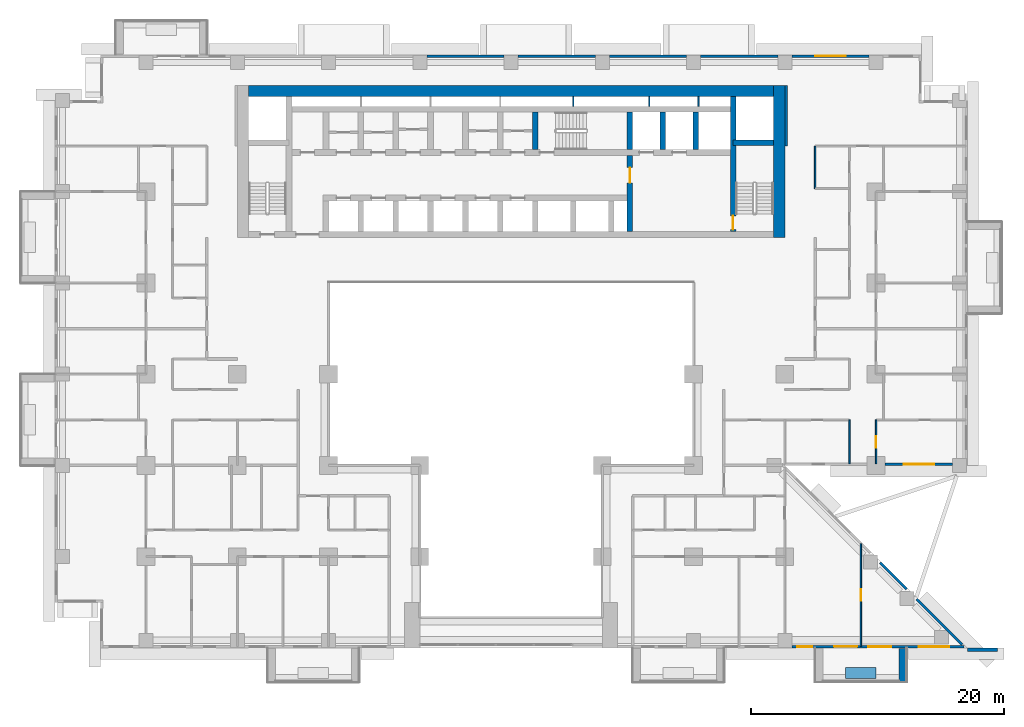
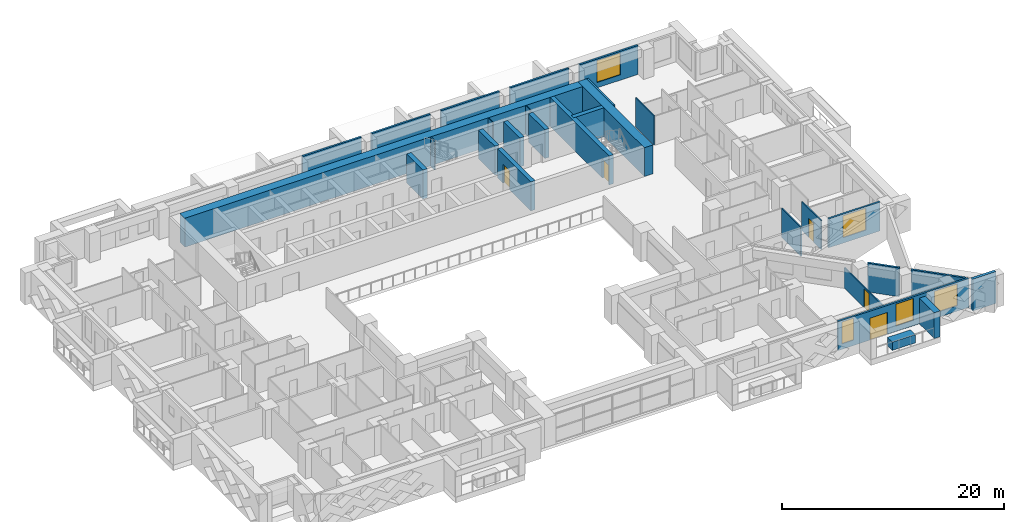
# One storey, part 11 of 17: 29 walls, 5 doors, 5 windows, 10 openings.
"""IFC4 building model written with IfcOpenShell, lengths in metres."""

import ifcopenshell
import ifcopenshell.guid

model = None  # the IFC model being written
_history = None  # IfcOwnerHistory: only IFC2X3 demands one
_inside = {}  # id of a spatial element -> (the spatial element, [elements in it])
_under = {}  # id of a project, library or spatial element -> (it, [spatial elements below it])
_declared = {}  # id of a project -> (the project, [libraries it declares])
_typed = {}  # id of a type object -> (the type object, [elements of that type])
_made_of = {}  # id of a material, layer set ... -> (it, [elements and type objects made of it])


def new_model(schema):
    """Start an empty IFC model of exactly this schema.

    Asked for "IFC4X3", IfcOpenShell would pick the latest addendum, in which some entities
    have other attributes; the version numbers below select the first issue.
    IFC2X3 requires an IfcOwnerHistory on every rooted entity: one is made here for all.
    """
    global model, _history
    if schema == "IFC4X3":
        model = ifcopenshell.file(schema_version=(4, 3, 0, 0))
    else:
        model = ifcopenshell.file(schema=schema)
    _inside.clear()
    _under.clear()
    _declared.clear()
    _typed.clear()
    _made_of.clear()
    _history = None
    if model.schema == "IFC2X3":
        org = make("IfcOrganization", Name="unknown")
        user = make(
            "IfcPersonAndOrganization",
            ThePerson=make("IfcPerson", FamilyName="unknown"),
            TheOrganization=org,
        )
        app = make(
            "IfcApplication",
            ApplicationDeveloper=org,
            Version="unknown",
            ApplicationFullName="unknown",
            ApplicationIdentifier="unknown",
        )
        _history = make(
            "IfcOwnerHistory",
            OwningUser=user,
            OwningApplication=app,
            ChangeAction="ADDED",
            CreationDate=0,
        )
    return model


def make(cls, **values):
    """One entity of the class cls with the attributes given. An attribute that is None is left unset."""
    return model.create_entity(
        cls, **{name: value for name, value in values.items() if value is not None}
    )


def rooted(cls, **values):
    """An entity with a GlobalId (a new one), such as an element, a storey or a relation."""
    return make(cls, GlobalId=ifcopenshell.guid.new(), OwnerHistory=_history, **values)


def si_unit(unit_type, name, prefix=None):
    """IfcSIUnit, for example si_unit("LENGTHUNIT", "METRE", prefix="MILLI")."""
    return make("IfcSIUnit", UnitType=unit_type, Prefix=prefix, Name=name)


def assignment(units):
    """IfcUnitAssignment: the units of a project."""
    return None if units is None else make("IfcUnitAssignment", Units=units)


def point(xyz):
    """IfcCartesianPoint."""
    return None if xyz is None else make("IfcCartesianPoint", Coordinates=xyz)


def direction(xyz):
    """IfcDirection."""
    return None if xyz is None else make("IfcDirection", DirectionRatios=xyz)


def frame(location, z_axis=None, x_axis=None):
    """IfcAxis2Placement3D, a coordinate frame: its origin and axes. An axis left out is left unset."""
    return make(
        "IfcAxis2Placement3D",
        Location=point(location),
        Axis=direction(z_axis),
        RefDirection=direction(x_axis),
    )


def frame_2d(location, x_axis=None):
    """IfcAxis2Placement2D, a coordinate frame in the plane: its origin and x axis."""
    return make(
        "IfcAxis2Placement2D", Location=point(location), RefDirection=direction(x_axis)
    )


def origin():
    """The frame at (0, 0, 0) with its axes left unset."""
    return frame((0.0, 0.0, 0.0))


def place(relative_to, where):
    """IfcLocalPlacement: puts the frame where relative to a parent placement (None: the world)."""
    return make(
        "IfcLocalPlacement", PlacementRelTo=relative_to, RelativePlacement=where
    )


def context(
    kind, dimensions, precision=None, world=None, true_north=None, identifier=None
):
    """IfcGeometricRepresentationContext, for example the 3D "Model" context."""
    return make(
        "IfcGeometricRepresentationContext",
        ContextIdentifier=identifier,
        ContextType=kind,
        CoordinateSpaceDimension=dimensions,
        Precision=precision,
        WorldCoordinateSystem=world,
        TrueNorth=true_north,
    )


def subcontext(parent, identifier, kind, view, scale=None):
    """IfcGeometricRepresentationSubContext, for example "Body" below "Model"."""
    return make(
        "IfcGeometricRepresentationSubContext",
        ContextIdentifier=identifier,
        ContextType=kind,
        ParentContext=parent,
        TargetScale=scale,
        TargetView=view,
    )


def project(units=None, contexts=None):
    """IfcProject with its units and contexts."""
    return rooted(
        "IfcProject",
        Name="project",
        RepresentationContexts=contexts,
        UnitsInContext=assignment(units),
    )


def spatial(cls, under=None, at=None, **own):
    """A site, building, storey or space (cls), placed at a placement, below another one or the project."""
    s = rooted(cls, ObjectPlacement=at, **own)
    if under is not None:
        _under.setdefault(under.id(), (under, []))[1].append(s)
    return s


def profile(cls, at=None, kind="AREA", **sizes):
    """A parametric profile (cls). Its sizes go by their IFC names, for example OverallWidth=200.0."""
    return make(cls, ProfileType=kind, Position=at, **sizes)


def rectangle(**sizes):
    """IfcRectangleProfileDef."""
    return profile("IfcRectangleProfileDef", **sizes)


def extrude(swept, where, along, depth):
    """IfcExtrudedAreaSolid: the profile swept, set in the frame where, extruded along a direction by depth."""
    return make(
        "IfcExtrudedAreaSolid",
        SweptArea=swept,
        Position=where,
        ExtrudedDirection=direction(along),
        Depth=depth,
    )


def shape(context_of_items, identifier, shape_type, items):
    """IfcShapeRepresentation: the items that make up one representation, for example the "Body"."""
    return make(
        "IfcShapeRepresentation",
        ContextOfItems=context_of_items,
        RepresentationIdentifier=identifier,
        RepresentationType=shape_type,
        Items=items,
    )


def material(Name=None, Category=None):
    """IfcMaterial."""
    return make("IfcMaterial", Name=Name, Category=Category)


def layer(
    of_material, thickness, ventilated=None, Name=None, Category=None, Priority=None
):
    """IfcMaterialLayer: one layer of a wall or slab, of a material (None: an air gap)."""
    return make(
        "IfcMaterialLayer",
        Material=of_material,
        LayerThickness=thickness,
        IsVentilated=ventilated,
        Name=Name,
        Category=Category,
        Priority=Priority,
    )


def layer_set(layers, Name=None):
    """IfcMaterialLayerSet."""
    return make("IfcMaterialLayerSet", MaterialLayers=layers, LayerSetName=Name)


def made_of(thing, what):
    """Note that an element or type object is made of a material, layer set ...; save() writes the relation."""
    if what is not None:
        _made_of.setdefault(what.id(), (what, []))[1].append(thing)
    return thing


def type_object(cls, material=None, **own):
    """A type object (cls), such as IfcWallType, which elements share."""
    return made_of(rooted(cls, **own), material)


def element(
    cls,
    number,
    at=None,
    inside=None,
    cuts=None,
    type_object=None,
    material=None,
    context=None,
    identifier="Body",
    shape_type=None,
    held_by="IfcProductDefinitionShape",
    body=None,
    shapes=None,
    **own,
):
    """One element of the class cls, such as IfcWall. Its Tag is "e" and its number.

    at: its placement. inside: the storey or other place that contains it. cuts: it is an
    opening in that element (IfcRelVoidsElement). A single representation is given by context,
    identifier, shape_type and body (its items); several are given by shapes. held_by: the class
    of the entity that holds the representations. save() writes the other relations.
    """
    e = rooted(cls, Tag="e%d" % number, ObjectPlacement=at, **own)
    if body is not None:
        shapes = [shape(context, identifier, shape_type, body)]
    if shapes is not None:
        e.Representation = make(held_by, Representations=shapes)
    if inside is not None:
        _inside.setdefault(inside.id(), (inside, []))[1].append(e)
    if cuts is not None:
        rooted(
            "IfcRelVoidsElement", RelatingBuildingElement=cuts, RelatedOpeningElement=e
        )
    if type_object is not None:
        _typed.setdefault(type_object.id(), (type_object, []))[1].append(e)
    return made_of(e, material)


def fill(opening, filler):
    """IfcRelFillsElement: the door or window that sits in an opening."""
    return rooted(
        "IfcRelFillsElement",
        RelatingOpeningElement=opening,
        RelatedBuildingElement=filler,
    )


def aggregate(whole, parts):
    """IfcRelAggregates: a whole, such as a stair, and the parts it consists of."""
    return rooted("IfcRelAggregates", RelatingObject=whole, RelatedObjects=parts)


def save(model, path):
    """Write the relations noted so far, then the file.

    IfcRelAggregates (storeys below a building ...), IfcRelContainedInSpatialStructure (elements
    in a storey), IfcRelDefinesByType, IfcRelAssociatesMaterial and IfcRelDeclares: one each for
    every whole, place, type object, material and project.
    """
    for whole, parts in _under.values():
        aggregate(whole, parts)
    for where, things in _inside.values():
        rooted(
            "IfcRelContainedInSpatialStructure",
            RelatedElements=things,
            RelatingStructure=where,
        )
    for kind, things in _typed.values():
        rooted("IfcRelDefinesByType", RelatedObjects=things, RelatingType=kind)
    for what, things in _made_of.values():
        rooted("IfcRelAssociatesMaterial", RelatedObjects=things, RelatingMaterial=what)
    for by, libraries in _declared.values():
        rooted("IfcRelDeclares", RelatingContext=by, RelatedDefinitions=libraries)
    model.write(path)


model = new_model("IFC4")

# Units and contexts
model_context = context("Model", 3, precision=1e-05, world=origin(), true_north=direction((0.0, 1.0)))
body_context = subcontext(model_context, "Body", "Model", "MODEL_VIEW")
ifc_project = project(units=[si_unit("LENGTHUNIT", "METRE"), si_unit("AREAUNIT", "SQUARE_METRE"), si_unit("VOLUMEUNIT", "CUBIC_METRE"), si_unit("PLANEANGLEUNIT", "RADIAN"), si_unit("MASSUNIT", "GRAM", prefix="KILO")], contexts=[model_context])

# Site, building, storey
site_placement = place(None, origin())
site = spatial("IfcSite", under=ifc_project, at=site_placement, CompositionType="ELEMENT")
building_placement = place(site_placement, origin())
building = spatial("IfcBuilding", under=site, at=building_placement, Name="Saffron Iwan Residences", CompositionType="ELEMENT")
storey_placement = place(building_placement, frame((0.0, 0.0, 58.5)))
storey = spatial("IfcBuildingStorey", under=building, at=storey_placement, Name="L14", CompositionType="ELEMENT", Elevation=58.5)

# Walls
ifc_material_1 = material(Name="Concrete C50/60 white painted", Category="concrete")
ifc_layer_1 = layer(ifc_material_1, 0.60009765625)
ifc_layer_set_1 = layer_set([ifc_layer_1], Name="Concrete C50/60 white painted")
wall_type_1 = type_object("IfcWallType", Name="BALCONY FIN 600", PredefinedType="SOLIDWALL", material=ifc_layer_set_1)
wall_1_placement = place(storey_placement, frame((81.300048828125, 33.550048828125, 0.0), z_axis=(0.0, 0.0, 1.0), x_axis=(0.0, -1.0, 0.0)))
element("IfcWall", 1, at=wall_1_placement, inside=storey, type_object=wall_type_1, Name="Balcony fin L14 11-2b", PredefinedType="SOLIDWALL", context=body_context, shape_type="SweptSolid", body=[
    extrude(rectangle(XDim=2.650146484375, YDim=0.60009765625, at=frame_2d((1.3251953125, 0.0))), origin(), (0.0, 0.0, 1.0), 2.85009765625),
])
ifc_material_2 = material(Name="Concrete C35/45 white painted", Category="concrete")
ifc_layer_2 = layer(ifc_material_2, 0.14990234375)
ifc_layer_set_2 = layer_set([ifc_layer_2], Name="Concrete C35/45 white painted")
wall_type_2 = type_object("IfcWallType", Name="BALCONY PLANTER", PredefinedType="SOLIDWALL", material=ifc_layer_set_2)
wall_2_placement = place(storey_placement, frame((76.800048828125, 31.625, 0.0), z_axis=(0.0, 0.0, 1.0), x_axis=(1.0, 0.0, 0.0)))
element("IfcWall", 2, at=wall_2_placement, inside=storey, type_object=wall_type_2, Name="PLANTER L14 11-2", PredefinedType="SOLIDWALL", context=body_context, shape_type="SweptSolid", body=[
    extrude(rectangle(XDim=2.39990234375, YDim=0.89990234375, at=frame_2d((1.199951171875, 0.0))), origin(), (0.0, 0.0, 1.0), 0.89990234375),
])
ifc_material_3 = material(Name="Concrete C40/50", Category="concrete")
ifc_layer_3 = layer(ifc_material_3, 0.199951171875)
ifc_layer_set_3 = layer_set([ifc_layer_3], Name="Concrete C40/50")
wall_type_3 = type_object("IfcWallType", Name="EXTERNAL WALL 200", PredefinedType="SOLIDWALL", material=ifc_layer_set_3)
wall_3_placement = place(storey_placement, frame((85.995849609375, 33.862548828125, 0.0), z_axis=(0.0, 0.0, 1.0), x_axis=(-0.7070827891, 0.707130772459, 0.0)))
element("IfcWall", 3, at=wall_3_placement, inside=storey, type_object=wall_type_3, Name="External wall L14 F0.0", PredefinedType="SOLIDWALL", context=body_context, shape_type="SweptSolid", body=[
    extrude(rectangle(XDim=5.088134765625, YDim=0.199951171875, at=frame_2d((2.5439453125, 0.0))), origin(), (0.0, 0.0, 1.0), 3.179931640625),
])
wall_4_placement = place(storey_placement, frame((81.620361328125, 38.23828125, 0.0), z_axis=(0.0, 0.0, 1.0), x_axis=(-0.707106781187, 0.707106781187, 0.0)))
element("IfcWall", 4, at=wall_4_placement, inside=storey, type_object=wall_type_3, Name="External wall L14 F0.1", PredefinedType="SOLIDWALL", context=body_context, shape_type="SweptSolid", body=[
    extrude(rectangle(XDim=2.97265625, YDim=0.199951171875, at=frame_2d((1.486328125, 0.0))), origin(), (0.0, 0.0, 1.0), 3.179931640625),
])

# Wall, opening, window
wall_5_placement = place(storey_placement, frame((79.89990234375, 48.10009765625, 0.0), z_axis=(0.0, 0.0, 1.0), x_axis=(1.0, 0.0, 0.0)))
wall_5 = element("IfcWall", 5, at=wall_5_placement, inside=storey, type_object=wall_type_3, Name="External wall L14 F1.1", PredefinedType="SOLIDWALL", context=body_context, shape_type="SweptSolid", body=[
    extrude(rectangle(XDim=5.35009765625, YDim=0.199951171875, at=frame_2d((2.675048828125, 0.0))), origin(), (0.0, 0.0, 1.0), 3.179931640625),
])
opening_1_placement = place(wall_5_placement, frame((1.47509765625, 0.0, 0.60009765625)))
opening_1 = element("IfcOpeningElement", 6, at=opening_1_placement, cuts=wall_5, Name="Opening W1", PredefinedType="OPENING", context=body_context, shape_type="SweptSolid", body=[
    extrude(rectangle(XDim=2.39990234375, YDim=2.39990234375, at=frame_2d((1.199951171875, 1.199951171875))), frame((0.0, 0.10986328125, 0.0), z_axis=(0.0, -1.0, 0.0), x_axis=(1.0, 0.0, 0.0)), (0.0, 0.0, 1.0), 0.219970703125),
])
ifc_material_4 = material(Name="Clear glass, laminated double glazed", Category="glass")
window_type_1 = type_object("IfcWindowType", Name="WINDOW 2400 x 2400", PartitioningType="DOUBLE_PANEL_VERTICAL", PredefinedType="WINDOW", material=ifc_material_4)
window_1_placement = place(opening_1_placement, origin())
window_1 = element("IfcWindow", 7, at=window_1_placement, inside=storey, type_object=window_type_1, Name="Window L14 F1.0", OverallHeight=2.39990234375, OverallWidth=2.39990234375, PartitioningType="DOUBLE_PANEL_VERTICAL", PredefinedType="WINDOW", context=body_context, shape_type="SweptSolid", body=[
    extrude(rectangle(XDim=2.39990234375, YDim=2.39990234375, at=frame_2d((1.199951171875, 1.199951171875))), frame((0.0, 0.030029296875, 0.0), z_axis=(0.0, -1.0, 0.0), x_axis=(1.0, 0.0, 0.0)), (0.0, 0.0, 1.0), 0.06005859375),
])
fill(opening_1, window_1)

wall_6_placement = place(storey_placement, frame((78.64990234375, 80.300048828125, 0.0), z_axis=(0.0, 0.0, 1.0), x_axis=(-1.0, 0.0, 0.0)))
wall_6 = element("IfcWall", 8, at=wall_6_placement, inside=storey, type_object=wall_type_3, Name="External wall L14 F5.1", PredefinedType="SOLIDWALL", context=body_context, shape_type="SweptSolid", body=[
    extrude(rectangle(XDim=6.099853515625, YDim=0.199951171875, at=frame_2d((3.0498046875, 0.0))), origin(), (0.0, 0.0, 1.0), 3.179931640625),
])
opening_2_placement = place(wall_6_placement, frame((1.85009765625, 0.0, 0.60009765625)))
opening_2 = element("IfcOpeningElement", 9, at=opening_2_placement, cuts=wall_6, Name="Opening W1", PredefinedType="OPENING", context=body_context, shape_type="SweptSolid", body=[
    extrude(rectangle(XDim=2.39990234375, YDim=2.39990234375, at=frame_2d((1.199951171875, 1.199951171875))), frame((0.0, 0.10986328125, 0.0), z_axis=(0.0, -1.0, 0.0), x_axis=(1.0, 0.0, 0.0)), (0.0, 0.0, 1.0), 0.219970703125),
])
window_2_placement = place(opening_2_placement, origin())
window_2 = element("IfcWindow", 10, at=window_2_placement, inside=storey, type_object=window_type_1, Name="Window L14 F5.0", OverallHeight=2.39990234375, OverallWidth=2.39990234375, PartitioningType="DOUBLE_PANEL_VERTICAL", PredefinedType="WINDOW", context=body_context, shape_type="SweptSolid", body=[
    extrude(rectangle(XDim=2.39990234375, YDim=2.39990234375, at=frame_2d((1.199951171875, 1.199951171875))), frame((0.0, 0.030029296875, 0.0), z_axis=(0.0, -1.0, 0.0), x_axis=(1.0, 0.0, 0.0)), (0.0, 0.0, 1.0), 0.06005859375),
])
fill(opening_2, window_2)

# Walls
wall_7_placement = place(storey_placement, frame((71.449951171875, 80.300048828125, 0.0), z_axis=(0.0, 0.0, 1.0), x_axis=(-1.0, 0.0, 0.0)))
element("IfcWall", 11, at=wall_7_placement, inside=storey, type_object=wall_type_3, Name="External wall L14 F5.2", PredefinedType="SOLIDWALL", context=body_context, shape_type="SweptSolid", body=[
    extrude(rectangle(XDim=6.099853515625, YDim=0.199951171875, at=frame_2d((3.0498046875, 0.0))), origin(), (0.0, 0.0, 1.0), 3.179931640625),
])
for number, where, z_axis, x_axis, name in (
    (12, (64.25, 80.300048828125, 0.0), (0.0, 0.0, 1.0), (-1.0, 0.0, 0.0), "External wall L14 F5.3"),
    (13, (57.050048828125, 80.300048828125, 0.0), (0.0, 0.0, 1.0), (-1.0, 0.0, 0.0), "External wall L14 F5.4"),
    (14, (49.85009765625, 80.300048828125, 0.0), (0.0, 0.0, 1.0), (-1.0, 0.0, 0.0), "External wall L14 F5.5"),
):
    element("IfcWall", number, at=place(storey_placement, frame(where, z_axis=z_axis, x_axis=x_axis)), inside=storey, type_object=wall_type_3, Name=name, PredefinedType="SOLIDWALL", context=body_context, shape_type="SweptSolid", body=[
        extrude(rectangle(XDim=6.10009765625, YDim=0.199951171875, at=frame_2d((3.050048828125, 0.0))), origin(), (0.0, 0.0, 1.0), 3.179931640625),
    ])

# Wall, openings, door, windows
wall_8_placement = place(storey_placement, frame((72.550048828125, 33.699951171875, 0.0), z_axis=(0.0, 0.0, 1.0), x_axis=(1.0, 0.0, 0.0)))
wall_8 = element("IfcWall", 15, at=wall_8_placement, inside=storey, type_object=wall_type_3, Name="External wall L14 F11.6", PredefinedType="SOLIDWALL", context=body_context, shape_type="SweptSolid", body=[
    extrude(rectangle(XDim=13.608642578125, YDim=0.199951171875, at=frame_2d((6.80419921875, 0.0))), origin(), (0.0, 0.0, 1.0), 3.179931640625),
])
opening_3_placement = place(wall_8_placement, frame((3.35009765625, 0.0, 0.0)))
opening_3 = element("IfcOpeningElement", 16, at=opening_3_placement, cuts=wall_8, Name="Opening BD1", PredefinedType="OPENING", context=body_context, shape_type="SweptSolid", body=[
    extrude(rectangle(XDim=1.800048828125, YDim=2.39990234375, at=frame_2d((0.89990234375, 1.199951171875))), frame((0.0, 0.10986328125, 0.0), z_axis=(0.0, -1.0, 0.0), x_axis=(1.0, 0.0, 0.0)), (0.0, 0.0, 1.0), 0.219970703125),
])
opening_4_placement = place(wall_8_placement, frame((0.425048828125, 0.0, 0.60009765625)))
opening_4 = element("IfcOpeningElement", 17, at=opening_4_placement, cuts=wall_8, Name="Opening W3", PredefinedType="OPENING", context=body_context, shape_type="SweptSolid", body=[
    extrude(rectangle(XDim=1.199951171875, YDim=2.39990234375, at=frame_2d((0.60009765625, 1.199951171875))), frame((0.0, 0.10986328125, 0.0), z_axis=(0.0, -1.0, 0.0), x_axis=(1.0, 0.0, 0.0)), (0.0, 0.0, 1.0), 0.219970703125),
])
opening_5_placement = place(wall_8_placement, frame((6.050048828125, 0.0, 0.60009765625)))
opening_5 = element("IfcOpeningElement", 18, at=opening_5_placement, cuts=wall_8, Name="Opening W8", PredefinedType="OPENING", context=body_context, shape_type="SweptSolid", body=[
    extrude(rectangle(XDim=1.800048828125, YDim=2.39990234375, at=frame_2d((0.89990234375, 1.199951171875))), frame((0.0, 0.10986328125, 0.0), z_axis=(0.0, -1.0, 0.0), x_axis=(1.0, 0.0, 0.0)), (0.0, 0.0, 1.0), 0.219970703125),
])
opening_6_placement = place(wall_8_placement, frame((10.029296875, 0.0, 0.60009765625)))
opening_6 = element("IfcOpeningElement", 19, at=opening_6_placement, cuts=wall_8, Name="Opening W1", PredefinedType="OPENING", context=body_context, shape_type="SweptSolid", body=[
    extrude(rectangle(XDim=2.39990234375, YDim=2.39990234375, at=frame_2d((1.199951171875, 1.199951171875))), frame((0.0, 0.10986328125, 0.0), z_axis=(0.0, -1.0, 0.0), x_axis=(1.0, 0.0, 0.0)), (0.0, 0.0, 1.0), 0.219970703125),
])
door_type_1 = type_object("IfcDoorType", Name="BALCONY DOOR 1800 x 2400", OperationType="DOUBLE_DOOR_SLIDING", PredefinedType="DOOR", material=ifc_material_4)
door_1_placement = place(opening_3_placement, origin())
door_1 = element("IfcDoor", 20, at=door_1_placement, inside=storey, type_object=door_type_1, Name="Balcony door L14 F11.0", OperationType="DOUBLE_DOOR_SLIDING", OverallHeight=2.39990234375, OverallWidth=1.800048828125, PredefinedType="DOOR", context=body_context, shape_type="SweptSolid", body=[
    extrude(rectangle(XDim=1.800048828125, YDim=2.39990234375, at=frame_2d((0.89990234375, 1.199951171875))), frame((0.0, 0.02490234375, 0.0), z_axis=(0.0, -1.0, 0.0), x_axis=(1.0, 0.0, 0.0)), (0.0, 0.0, 1.0), 0.050048828125),
])
fill(opening_3, door_1)
window_type_2 = type_object("IfcWindowType", Name="WINDOW 1200 x 2400", PartitioningType="SINGLE_PANEL", PredefinedType="WINDOW", material=ifc_material_4)
window_3_placement = place(opening_4_placement, origin())
window_3 = element("IfcWindow", 21, at=window_3_placement, inside=storey, type_object=window_type_2, Name="Window L14 F11.1", OverallHeight=2.39990234375, OverallWidth=1.199951171875, PartitioningType="SINGLE_PANEL", PredefinedType="WINDOW", context=body_context, shape_type="SweptSolid", body=[
    extrude(rectangle(XDim=1.199951171875, YDim=2.39990234375, at=frame_2d((0.60009765625, 1.199951171875))), frame((0.0, 0.030029296875, 0.0), z_axis=(0.0, -1.0, 0.0), x_axis=(1.0, 0.0, 0.0)), (0.0, 0.0, 1.0), 0.06005859375),
])
fill(opening_4, window_3)
window_type_3 = type_object("IfcWindowType", Name="WINDOW 1800 x 2400", PartitioningType="DOUBLE_PANEL_VERTICAL", PredefinedType="WINDOW", material=ifc_material_4)
window_4_placement = place(opening_5_placement, origin())
window_4 = element("IfcWindow", 22, at=window_4_placement, inside=storey, type_object=window_type_3, Name="Window L14 F11.2", OverallHeight=2.39990234375, OverallWidth=1.800048828125, PartitioningType="DOUBLE_PANEL_VERTICAL", PredefinedType="WINDOW", context=body_context, shape_type="SweptSolid", body=[
    extrude(rectangle(XDim=1.800048828125, YDim=2.39990234375, at=frame_2d((0.89990234375, 1.199951171875))), frame((0.0, 0.030029296875, 0.0), z_axis=(0.0, -1.0, 0.0), x_axis=(1.0, 0.0, 0.0)), (0.0, 0.0, 1.0), 0.06005859375),
])
fill(opening_5, window_4)
window_5_placement = place(opening_6_placement, origin())
window_5 = element("IfcWindow", 23, at=window_5_placement, inside=storey, type_object=window_type_1, Name="Window L14 F11.3", OverallHeight=2.39990234375, OverallWidth=2.39990234375, PartitioningType="DOUBLE_PANEL_VERTICAL", PredefinedType="WINDOW", context=body_context, shape_type="SweptSolid", body=[
    extrude(rectangle(XDim=2.39990234375, YDim=2.39990234375, at=frame_2d((1.199951171875, 1.199951171875))), frame((0.0, 0.030029296875, 0.0), z_axis=(0.0, -1.0, 0.0), x_axis=(1.0, 0.0, 0.0)), (0.0, 0.0, 1.0), 0.06005859375),
])
fill(opening_6, window_5)

# Walls
ifc_material_5 = material(Name="Gypsum board partition")
ifc_layer_4 = layer(ifc_material_5, 0.1201171875)
ifc_layer_set_4 = layer_set([ifc_layer_4], Name="Gypsum board partition")
wall_type_4 = type_object("IfcWallType", Name="Flat partition 120", PredefinedType="PARTITIONING", material=ifc_layer_set_4)
wall_9_placement = place(storey_placement, frame((74.39990234375, 69.85009765625, 0.0), z_axis=(0.0, 0.0, 1.0), x_axis=(0.0, 1.0, 0.0)))
element("IfcWall", 24, at=wall_9_placement, inside=storey, type_object=wall_type_4, Name="W-L14-PART-v74.4-69.85", PredefinedType="PARTITIONING", context=body_context, shape_type="SweptSolid", body=[
    extrude(rectangle(XDim=3.349853515625, YDim=0.1201171875, at=frame_2d((1.6748046875, 0.0))), origin(), (0.0, 0.0, 1.0), 3.179931640625),
])
wall_10_placement = place(storey_placement, frame((77.10009765625, 48.125, 0.0), z_axis=(0.0, 0.0, 1.0), x_axis=(0.0, 1.0, 0.0)))
element("IfcWall", 25, at=wall_10_placement, inside=storey, type_object=wall_type_4, Name="W-L14-PART-v77.1-48.125", PredefinedType="PARTITIONING", context=body_context, shape_type="SweptSolid", body=[
    extrude(rectangle(XDim=3.47509765625, YDim=0.1201171875, at=frame_2d((1.737548828125, 0.0))), origin(), (0.0, 0.0, 1.0), 3.179931640625),
])

# Wall, opening, door
wall_11_placement = place(storey_placement, frame((78.0, 33.72509765625, 0.0), z_axis=(0.0, 0.0, 1.0), x_axis=(0.0, 1.0, 0.0)))
wall_11 = element("IfcWall", 26, at=wall_11_placement, inside=storey, type_object=wall_type_4, Name="W-L14-PART-v78-33.725", PredefinedType="PARTITIONING", context=body_context, shape_type="SweptSolid", body=[
    extrude(rectangle(XDim=8.097900390625, YDim=0.1201171875, at=frame_2d((4.048828125, 0.0))), origin(), (0.0, 0.0, 1.0), 2.280029296875),
])
opening_7_placement = place(wall_11_placement, frame((3.59912109375, 0.0, 0.0)))
opening_7 = element("IfcOpeningElement", 27, at=opening_7_placement, cuts=wall_11, Name="Opening FD2", PredefinedType="OPENING", context=body_context, shape_type="SweptSolid", body=[
    extrude(rectangle(XDim=0.89990234375, YDim=2.10009765625, at=frame_2d((0.449951171875, 1.050048828125))), frame((0.0, 0.070068359375, 0.0), z_axis=(0.0, -1.0, 0.0), x_axis=(1.0, 0.0, 0.0)), (0.0, 0.0, 1.0), 0.14013671875),
])
ifc_material_6 = material(Name="Timber door", Category="wood")
door_type_2 = type_object("IfcDoorType", Name="Flat door 900", OperationType="NOTDEFINED", PredefinedType="DOOR", material=ifc_material_6)
door_2_placement = place(opening_7_placement, origin())
door_2 = element("IfcDoor", 28, at=door_2_placement, inside=storey, type_object=door_type_2, Name="Door L14-052", OperationType="SINGLE_SWING_LEFT", OverallHeight=2.10009765625, OverallWidth=0.89990234375, PredefinedType="DOOR", context=body_context, shape_type="SweptSolid", body=[
    extrude(rectangle(XDim=0.89990234375, YDim=2.10009765625, at=frame_2d((0.449951171875, 1.050048828125))), frame((0.0, 0.02490234375, 0.0), z_axis=(0.0, -1.0, 0.0), x_axis=(1.0, 0.0, 0.0)), (0.0, 0.0, 1.0), 0.050048828125),
])
fill(opening_7, door_2)

wall_12_placement = place(storey_placement, frame((79.199951171875, 48.125, 0.0), z_axis=(0.0, 0.0, 1.0), x_axis=(0.0, 1.0, 0.0)))
wall_12 = element("IfcWall", 29, at=wall_12_placement, inside=storey, type_object=wall_type_4, Name="W-L14-PART-v79.2-48.125", PredefinedType="PARTITIONING", context=body_context, shape_type="SweptSolid", body=[
    extrude(rectangle(XDim=3.47509765625, YDim=0.1201171875, at=frame_2d((1.737548828125, 0.0))), origin(), (0.0, 0.0, 1.0), 3.179931640625),
])
opening_8_placement = place(wall_12_placement, frame((1.28759765625, 0.0, 0.0)))
opening_8 = element("IfcOpeningElement", 30, at=opening_8_placement, cuts=wall_12, Name="Opening FD2", PredefinedType="OPENING", context=body_context, shape_type="SweptSolid", body=[
    extrude(rectangle(XDim=0.89990234375, YDim=2.10009765625, at=frame_2d((0.449951171875, 1.050048828125))), frame((0.0, 0.070068359375, 0.0), z_axis=(0.0, -1.0, 0.0), x_axis=(1.0, 0.0, 0.0)), (0.0, 0.0, 1.0), 0.14013671875),
])
door_3_placement = place(opening_8_placement, origin())
door_3 = element("IfcDoor", 31, at=door_3_placement, inside=storey, type_object=door_type_2, Name="Door L14-022", OperationType="SINGLE_SWING_LEFT", OverallHeight=2.10009765625, OverallWidth=0.89990234375, PredefinedType="DOOR", context=body_context, shape_type="SweptSolid", body=[
    extrude(rectangle(XDim=0.89990234375, YDim=2.10009765625, at=frame_2d((0.449951171875, 1.050048828125))), frame((0.0, 0.02490234375, 0.0), z_axis=(0.0, -1.0, 0.0), x_axis=(1.0, 0.0, 0.0)), (0.0, 0.0, 1.0), 0.050048828125),
])
fill(opening_8, door_3)

# Walls
ifc_material_7 = material(Name="Fire-rated gypsum board wall")
ifc_layer_5 = layer(ifc_material_7, 0.199951171875)
ifc_layer_set_5 = layer_set([ifc_layer_5], Name="Fire-rated gypsum board wall")
wall_type_5 = type_object("IfcWallType", Name="Gallery wall 200", PredefinedType="SOLIDWALL", material=ifc_layer_set_5)
wall_13_placement = place(storey_placement, frame((72.10009765625, 73.199951171875, 0.0), z_axis=(0.0, 0.0, 1.0), x_axis=(0.0, 1.0, 0.0)))
element("IfcWall", 32, at=wall_13_placement, inside=storey, type_object=wall_type_5, Name="W-L14-CORR-v72-73.2", PredefinedType="SOLIDWALL", context=body_context, shape_type="SweptSolid", body=[
    extrude(rectangle(XDim=4.800048828125, YDim=0.199951171875, at=frame_2d((2.39990234375, 0.0))), origin(), (0.0, 0.0, 1.0), 3.179931640625),
])
ifc_layer_6 = layer(ifc_material_1, 0.300048828125)
ifc_layer_set_6 = layer_set([ifc_layer_6], Name="Concrete C50/60 white painted")
wall_type_6 = type_object("IfcWallType", Name="PROW BLADE 300", PredefinedType="SOLIDWALL", material=ifc_layer_set_6)
wall_14_placement = place(storey_placement, frame((86.39990234375, 33.449951171875, -0.320068359375), z_axis=(0.0, 0.0, 1.0), x_axis=(1.0, 0.0, 0.0)))
element("IfcWall", 33, at=wall_14_placement, inside=storey, type_object=wall_type_6, Name="Prow blade L14", PredefinedType="SOLIDWALL", context=body_context, shape_type="SweptSolid", body=[
    extrude(rectangle(XDim=2.400146484375, YDim=0.300048828125, at=frame_2d((1.2001953125, 0.0))), origin(), (0.0, 0.0, 1.0), 3.5),
])
ifc_material_8 = material(Name="Fire-rated plasterboard partition")
ifc_layer_7 = layer(ifc_material_8, 0.10009765625)
ifc_layer_set_7 = layer_set([ifc_layer_7], Name="Fire-rated plasterboard partition")
wall_type_7 = type_object("IfcWallType", Name="Riser partition 100", PredefinedType="PARTITIONING", material=ifc_layer_set_7)
for number, where, z_axis, x_axis, name in (
    (34, (55.300048828125, 76.324951171875, 0.0), (0.0, 0.0, 1.0), (0.0, 1.0, 0.0), "Core partition P09"),
    (35, (61.300048828125, 76.324951171875, 0.0), (0.0, 0.0, 1.0), (0.0, 1.0, 0.0), "Core partition P10"),
    (36, (65.199951171875, 76.324951171875, 0.0), (0.0, 0.0, 1.0), (0.0, 1.0, 0.0), "Core partition P11"),
):
    element("IfcWall", number, at=place(storey_placement, frame(where, z_axis=z_axis, x_axis=x_axis)), inside=storey, type_object=wall_type_7, Name=name, PredefinedType="PARTITIONING", context=body_context, shape_type="SweptSolid", body=[
        extrude(rectangle(XDim=0.775146484375, YDim=0.10009765625, at=frame_2d((0.3876953125, 0.0))), origin(), (0.0, 0.0, 1.0), 3.179931640625),
    ])
ifc_material_9 = material(Name="Concrete C60/75", Category="concrete")
ifc_layer_8 = layer(ifc_material_9, 0.449951171875)
ifc_layer_set_8 = layer_set([ifc_layer_8], Name="Concrete C60/75")
wall_type_8 = type_object("IfcWallType", Name="WALL CORE 450 C60/75 3180 HIGH", PredefinedType="SHEAR", material=ifc_layer_set_8)
wall_15_placement = place(storey_placement, frame((67.925048828125, 73.47509765625, 0.0), z_axis=(0.0, 0.0, 1.0), x_axis=(1.0, 0.0, 0.0)))
element("IfcWall", 37, at=wall_15_placement, inside=storey, type_object=wall_type_8, Name="Core wall", PredefinedType="SHEAR", context=body_context, shape_type="SweptSolid", body=[
    extrude(rectangle(XDim=3.175048828125, YDim=0.449951171875, at=frame_2d((1.58740234375, 0.0))), origin(), (0.0, 0.0, 1.0), 3.179931640625),
])

# Wall, opening, door
wall_16_placement = place(storey_placement, frame((67.925048828125, 66.449951171875, 0.0), z_axis=(0.0, 0.0, 1.0), x_axis=(0.0, 1.0, 0.0)))
wall_16 = element("IfcWall", 38, at=wall_16_placement, inside=storey, type_object=wall_type_8, Name="Core wall", PredefinedType="SHEAR", context=body_context, shape_type="SweptSolid", body=[
    extrude(rectangle(XDim=10.650146484375, YDim=0.449951171875, at=frame_2d((5.3251953125, 0.0))), origin(), (0.0, 0.0, 1.0), 3.179931640625),
])
opening_9_placement = place(wall_16_placement, frame((0.14990234375, 0.0, 0.0)))
opening_9 = element("IfcOpeningElement", 39, at=opening_9_placement, cuts=wall_16, Name="Opening SD", PredefinedType="OPENING", context=body_context, shape_type="SweptSolid", body=[
    extrude(rectangle(XDim=1.10009765625, YDim=2.10009765625, at=frame_2d((0.550048828125, 1.050048828125))), frame((0.0, 0.23486328125, 0.0), z_axis=(0.0, -1.0, 0.0), x_axis=(1.0, 0.0, 0.0)), (0.0, 0.0, 1.0), 0.469970703125),
])
ifc_material_10 = material(Name="Steel fire door", Category="steel")
door_type_3 = type_object("IfcDoorType", Name="Stair door 1100", OperationType="NOTDEFINED", PredefinedType="DOOR", material=ifc_material_10)
door_4_placement = place(opening_9_placement, origin())
door_4 = element("IfcDoor", 40, at=door_4_placement, inside=storey, type_object=door_type_3, Name="Stair door ST-E", OperationType="SINGLE_SWING_LEFT", OverallHeight=2.10009765625, OverallWidth=1.10009765625, PredefinedType="DOOR", context=body_context, shape_type="SweptSolid", body=[
    extrude(rectangle(XDim=1.10009765625, YDim=2.10009765625, at=frame_2d((0.550048828125, 1.050048828125))), frame((0.0, 0.02490234375, 0.0), z_axis=(0.0, -1.0, 0.0), x_axis=(1.0, 0.0, 0.0)), (0.0, 0.0, 1.0), 0.050048828125),
])
fill(opening_9, door_4)

wall_17_placement = place(storey_placement, frame((59.77490234375, 66.449951171875, 0.0), z_axis=(0.0, 0.0, 1.0), x_axis=(0.0, 1.0, 0.0)))
wall_17 = element("IfcWall", 41, at=wall_17_placement, inside=storey, type_object=wall_type_8, Name="Core wall", PredefinedType="SHEAR", context=body_context, shape_type="SweptSolid", body=[
    extrude(rectangle(XDim=6.025146484375, YDim=0.449951171875, at=frame_2d((3.0126953125, 0.0))), origin(), (0.0, 0.0, 1.0), 3.179931640625),
])
opening_10_placement = place(wall_17_placement, frame((3.85009765625, 0.0, 0.0)))
opening_10 = element("IfcOpeningElement", 42, at=opening_10_placement, cuts=wall_17, Name="Opening FD", PredefinedType="OPENING", context=body_context, shape_type="SweptSolid", body=[
    extrude(rectangle(XDim=1.199951171875, YDim=2.10009765625, at=frame_2d((0.60009765625, 1.050048828125))), frame((0.0, 0.23486328125, 0.0), z_axis=(0.0, -1.0, 0.0), x_axis=(1.0, 0.0, 0.0)), (0.0, 0.0, 1.0), 0.469970703125),
])
door_type_4 = type_object("IfcDoorType", Name="Firefighting lobby door 1200", OperationType="NOTDEFINED", PredefinedType="DOOR", material=ifc_material_10)
door_5_placement = place(opening_10_placement, origin())
door_5 = element("IfcDoor", 43, at=door_5_placement, inside=storey, type_object=door_type_4, Name="Firefighting lobby door", OperationType="SINGLE_SWING_RIGHT", OverallHeight=2.10009765625, OverallWidth=1.199951171875, PredefinedType="DOOR", context=body_context, shape_type="SweptSolid", body=[
    extrude(rectangle(XDim=1.199951171875, YDim=2.10009765625, at=frame_2d((0.60009765625, 1.050048828125))), frame((0.0, 0.02490234375, 0.0), z_axis=(0.0, -1.0, 0.0), x_axis=(1.0, 0.0, 0.0)), (0.0, 0.0, 1.0), 0.050048828125),
])
fill(opening_10, door_5)

# Walls
for number, where, z_axis, x_axis, name in (
    (44, (59.77490234375, 72.925048828125, 0.0), (0.0, 0.0, 1.0), (0.0, 1.0, 0.0), "Core wall"),
    (45, (52.300048828125, 72.925048828125, 0.0), (0.0, 0.0, 1.0), (0.0, 1.0, 0.0), "Core wall"),
    (46, (62.375, 72.925048828125, 0.0), (0.0, 0.0, 1.0), (0.0, 1.0, 0.0), "Core wall"),
    (47, (64.97509765625, 72.925048828125, 0.0), (0.0, 0.0, 1.0), (0.0, 1.0, 0.0), "Core wall"),
):
    element("IfcWall", number, at=place(storey_placement, frame(where, z_axis=z_axis, x_axis=x_axis)), inside=storey, type_object=wall_type_8, Name=name, PredefinedType="SHEAR", context=body_context, shape_type="SweptSolid", body=[
        extrude(rectangle(XDim=2.949951171875, YDim=0.449951171875, at=frame_2d((1.47509765625, 0.0))), origin(), (0.0, 0.0, 1.0), 3.179931640625),
    ])
ifc_layer_9 = layer(ifc_material_9, 0.89990234375)
ifc_layer_set_9 = layer_set([ifc_layer_9], Name="Concrete C60/75")
wall_type_9 = type_object("IfcWallType", Name="WALL CORE 900 C60/75 3180 HIGH", PredefinedType="SHEAR", material=ifc_layer_set_9)
wall_18_placement = place(storey_placement, frame((71.550048828125, 66.0, 0.0), z_axis=(0.0, 0.0, 1.0), x_axis=(0.0, 1.0, 0.0)))
element("IfcWall", 48, at=wall_18_placement, inside=storey, type_object=wall_type_9, Name="Core wall", PredefinedType="SHEAR", context=body_context, shape_type="SweptSolid", body=[
    extrude(rectangle(XDim=12.0, YDim=0.89990234375, at=frame_2d((6.0, 0.0))), origin(), (0.0, 0.0, 1.0), 3.179931640625),
])
wall_19_placement = place(storey_placement, frame((29.699951171875, 77.550048828125, 0.0), z_axis=(0.0, 0.0, 1.0), x_axis=(1.0, 0.0, 0.0)))
element("IfcWall", 49, at=wall_19_placement, inside=storey, type_object=wall_type_9, Name="Core wall", PredefinedType="SHEAR", context=body_context, shape_type="SweptSolid", body=[
    extrude(rectangle(XDim=41.400146484375, YDim=0.89990234375, at=frame_2d((20.7001953125, 0.0))), origin(), (0.0, 0.0, 1.0), 3.179931640625),
])

save(model, "model.ifc")
